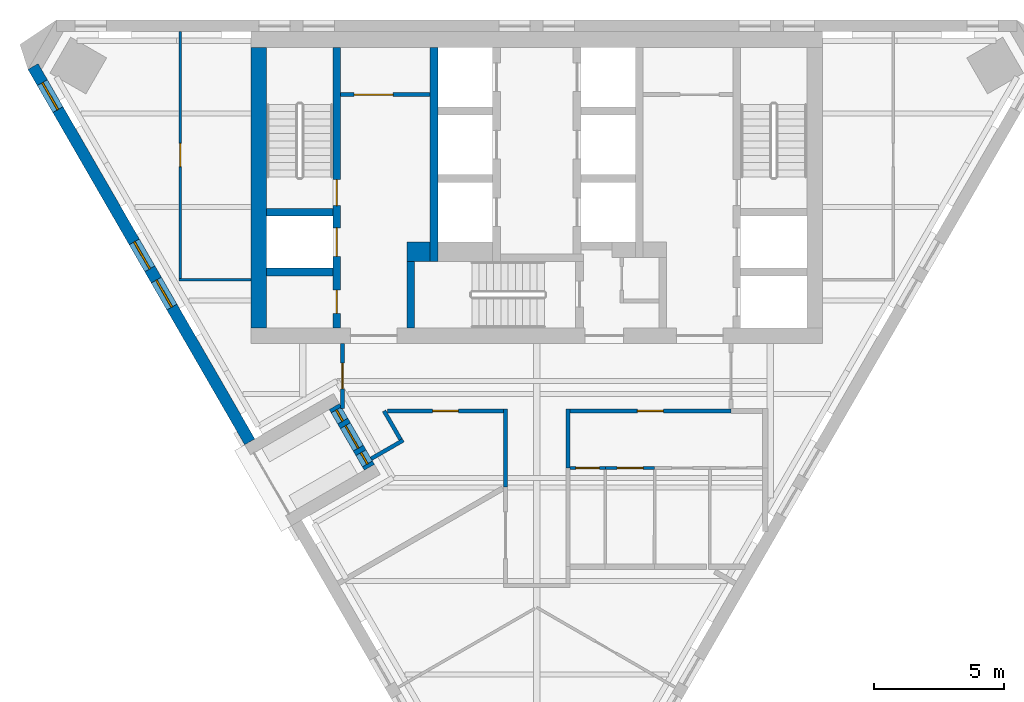
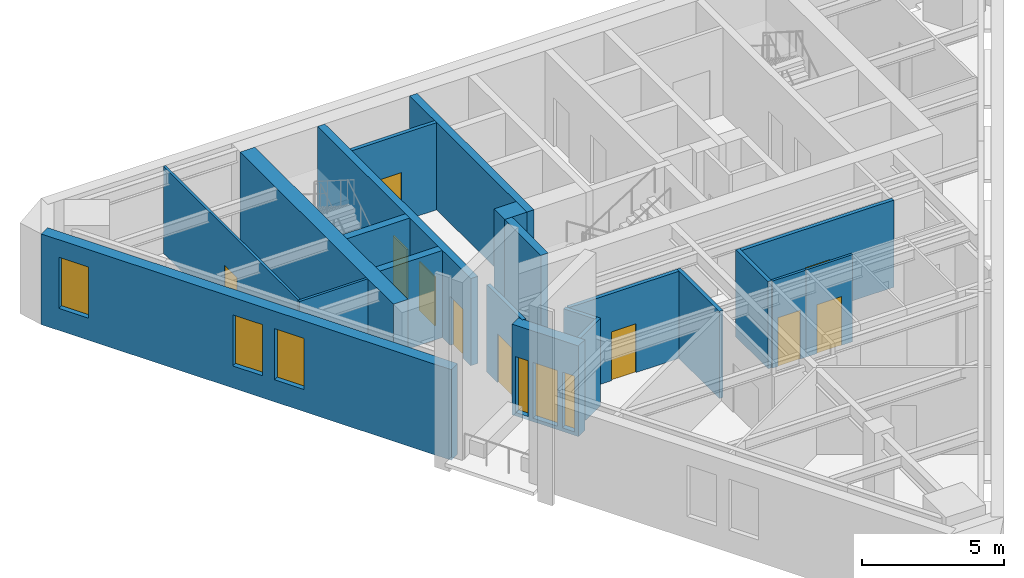
# One storey, part 3 of 7: 21 walls, 11 doors, 5 windows, 16 openings.
"""IFC4 building model written with IfcOpenShell, lengths in metres."""

from ifc_helpers import new_model, si_unit, direction, frame, frame_2d, origin, place, context, subcontext, project, spatial, polyline, rectangle, outline, extrude, material, layer, layer_set, type_object, element, fill, save


model = new_model("IFC4")

# Units and contexts
model_context = context("Model", 3, precision=1e-05, world=origin(), true_north=direction((0.0, 1.0)))
body_context = subcontext(model_context, "Body", "Model", "MODEL_VIEW")
ifc_project = project(units=[si_unit("LENGTHUNIT", "METRE"), si_unit("AREAUNIT", "SQUARE_METRE"), si_unit("VOLUMEUNIT", "CUBIC_METRE"), si_unit("PLANEANGLEUNIT", "RADIAN"), si_unit("MASSUNIT", "GRAM", prefix="KILO")], contexts=[model_context])

# Site, building, storey
site_placement = place(None, origin())
site = spatial("IfcSite", under=ifc_project, at=site_placement, CompositionType="ELEMENT")
building_placement = place(site_placement, origin())
building = spatial("IfcBuilding", under=site, at=building_placement, Name="Aloe Facet Convention Tower", CompositionType="ELEMENT")
storey_placement = place(building_placement, frame((0.0, 0.0, 258.199951171875)))
storey = spatial("IfcBuildingStorey", under=building, at=storey_placement, Name="L63", CompositionType="ELEMENT", Elevation=258.199951171875)

# Wall, opening, door
ifc_material_1 = material(Name="Concrete blockwork partition", Category="masonry")
ifc_layer_1 = layer(ifc_material_1, 0.14990234375)
ifc_layer_set_1 = layer_set([ifc_layer_1], Name="CR-W-PART150")
wall_type_1 = type_object("IfcWallType", Name="CR-W-PART150", PredefinedType="PARTITIONING", material=ifc_layer_set_1)
wall_1_placement = place(storey_placement, frame((72.449951171875, 132.125, 0.0), z_axis=(0.0, 0.0, 1.0), x_axis=(1.0, 0.0, 0.0)))
wall_1 = element("IfcWall", 1, at=wall_1_placement, inside=storey, type_object=wall_type_1, Name="Core partition L63-007", PredefinedType="PARTITIONING", context=body_context, shape_type="SweptSolid", body=[
    extrude(rectangle(XDim=3.449951171875, YDim=0.14990234375, at=frame_2d((1.72509765625, 0.0))), origin(), (0.0, 0.0, 1.0), 3.75),
])
opening_1_placement = place(wall_1_placement, frame((0.52490234375, 0.0, 0.0)))
opening_1 = element("IfcOpeningElement", 2, at=opening_1_placement, cuts=wall_1, Name="Opening L63-CD14", PredefinedType="OPENING", context=body_context, shape_type="SweptSolid", body=[
    extrude(rectangle(XDim=1.5, YDim=2.10009765625, at=frame_2d((0.75, 1.050048828125))), frame((0.0, 0.0849609375, 0.0), z_axis=(0.0, -1.0, 0.0), x_axis=(1.0, 0.0, 0.0)), (0.0, 0.0, 1.0), 0.169921875),
])
ifc_material_2 = material(Name="Steel fire-resisting door set FD60", Category="steel")
door_type_1 = type_object("IfcDoorType", Name="CR-D-REFUGE-1500-FD60-DD", OperationType="DOUBLE_DOOR_DOUBLE_SWING", PredefinedType="DOOR", material=ifc_material_2)
door_1_placement = place(opening_1_placement, origin())
door_1 = element("IfcDoor", 3, at=door_1_placement, inside=storey, type_object=door_type_1, Name="Core door L63-CD14", OperationType="DOUBLE_DOOR_DOUBLE_SWING", OverallHeight=2.10009765625, OverallWidth=1.5, PredefinedType="DOOR", context=body_context, shape_type="SweptSolid", body=[
    extrude(rectangle(XDim=1.5, YDim=2.10009765625, at=frame_2d((0.75, 1.050048828125))), frame((0.0, 0.02490234375, 0.0), z_axis=(0.0, -1.0, 0.0), x_axis=(1.0, 0.0, 0.0)), (0.0, 0.0, 1.0), 0.050048828125),
])
fill(opening_1, door_1)

# Walls
ifc_material_3 = material(Name="Concrete C50/60", Category="concrete")
ifc_layer_2 = layer(ifc_material_3, 0.300048828125)
ifc_layer_set_2 = layer_set([ifc_layer_2], Name="CR-W-RC300-C5060")
wall_type_2 = type_object("IfcWallType", Name="CR-W-RC300-C5060", PredefinedType="SOLIDWALL", material=ifc_layer_set_2)
for number, where, z_axis, x_axis, name in (
    (4, (69.60009765625, 127.60009765625, 0.0), (0.0, 0.0, 1.0), (1.0, 0.0, 0.0), "Core wall L63-004"),
    (5, (69.60009765625, 125.300048828125, 0.0), (0.0, 0.0, 1.0), (1.0, 0.0, 0.0), "Core wall L63-005"),
):
    element("IfcWall", number, at=place(storey_placement, frame(where, z_axis=z_axis, x_axis=x_axis)), inside=storey, type_object=wall_type_2, Name=name, PredefinedType="SOLIDWALL", context=body_context, shape_type="SweptSolid", body=[
        extrude(rectangle(XDim=2.5498046875, YDim=0.300048828125, at=frame_2d((1.27490234375, 0.0))), origin(), (0.0, 0.0, 1.0), 3.75),
    ])

# Wall, openings, doors
wall_2_placement = place(storey_placement, frame((72.300048828125, 133.949951171875, 0.0), z_axis=(0.0, 0.0, 1.0), x_axis=(0.0, -1.0, 0.0)))
wall_2 = element("IfcWall", 6, at=wall_2_placement, inside=storey, type_object=wall_type_2, Name="Core wall L63-006", PredefinedType="SOLIDWALL", context=body_context, shape_type="SweptSolid", body=[
    extrude(rectangle(XDim=10.800048828125, YDim=0.300048828125, at=frame_2d((5.39990234375, 0.0))), origin(), (0.0, 0.0, 1.0), 3.75),
])
opening_2_placement = place(wall_2_placement, frame((6.949951171875, 0.0, 0.0)))
opening_2 = element("IfcOpeningElement", 7, at=opening_2_placement, cuts=wall_2, Name="Opening LD-FF1-L63", PredefinedType="OPENING", context=body_context, shape_type="SweptSolid", body=[
    extrude(rectangle(XDim=1.10009765625, YDim=2.10009765625, at=frame_2d((0.550048828125, 1.050048828125))), frame((0.0, 0.16015625, 0.0), z_axis=(0.0, -1.0, 0.0), x_axis=(1.0, 0.0, 0.0)), (0.0, 0.0, 1.0), 0.320068359375),
])
opening_3_placement = place(wall_2_placement, frame((9.35009765625, 0.0, 0.0)))
opening_3 = element("IfcOpeningElement", 8, at=opening_3_placement, cuts=wall_2, Name="Opening L63-CD15", PredefinedType="OPENING", context=body_context, shape_type="SweptSolid", body=[
    extrude(rectangle(XDim=0.89990234375, YDim=2.10009765625, at=frame_2d((0.449951171875, 1.050048828125))), frame((0.0, 0.16015625, 0.0), z_axis=(0.0, -1.0, 0.0), x_axis=(1.0, 0.0, 0.0)), (0.0, 0.0, 1.0), 0.320068359375),
])
opening_4_placement = place(wall_2_placement, frame((5.10009765625, 0.0, 0.0)))
opening_4 = element("IfcOpeningElement", 9, at=opening_4_placement, cuts=wall_2, Name="Opening L63-CD16", PredefinedType="OPENING", context=body_context, shape_type="SweptSolid", body=[
    extrude(rectangle(XDim=1.0, YDim=2.10009765625, at=frame_2d((0.5, 1.050048828125))), frame((0.0, 0.16015625, 0.0), z_axis=(0.0, -1.0, 0.0), x_axis=(1.0, 0.0, 0.0)), (0.0, 0.0, 1.0), 0.320068359375),
])
ifc_material_4 = material(Name="Steel fire-resisting door set FD60", Category="steel")
door_type_2 = type_object("IfcDoorType", Name="CR-D-ROOM-900-FD60-SLEFT", OperationType="SINGLE_SWING_LEFT", PredefinedType="DOOR", material=ifc_material_4)
door_2_placement = place(opening_3_placement, origin())
door_2 = element("IfcDoor", 10, at=door_2_placement, inside=storey, type_object=door_type_2, Name="Core door L63-CD15", OperationType="SINGLE_SWING_LEFT", OverallHeight=2.10009765625, OverallWidth=0.89990234375, PredefinedType="DOOR", context=body_context, shape_type="SweptSolid", body=[
    extrude(rectangle(XDim=0.89990234375, YDim=2.10009765625, at=frame_2d((0.449951171875, 1.050048828125))), frame((0.0, 0.02490234375, 0.0), z_axis=(0.0, -1.0, 0.0), x_axis=(1.0, 0.0, 0.0)), (0.0, 0.0, 1.0), 0.050048828125),
])
fill(opening_3, door_2)
ifc_material_5 = material(Name="Steel fire-resisting door set FD120", Category="steel")
door_type_3 = type_object("IfcDoorType", Name="CR-D-STAIR-1000-FD120-SRIGHT", OperationType="SINGLE_SWING_RIGHT", PredefinedType="DOOR", material=ifc_material_5)
door_3_placement = place(opening_4_placement, origin())
door_3 = element("IfcDoor", 11, at=door_3_placement, inside=storey, type_object=door_type_3, Name="Core door L63-CD16", OperationType="SINGLE_SWING_RIGHT", OverallHeight=2.10009765625, OverallWidth=1.0, PredefinedType="DOOR", context=body_context, shape_type="SweptSolid", body=[
    extrude(rectangle(XDim=1.0, YDim=2.10009765625, at=frame_2d((0.5, 1.050048828125))), frame((0.0, 0.02490234375, 0.0), z_axis=(0.0, -1.0, 0.0), x_axis=(1.0, 0.0, 0.0)), (0.0, 0.0, 1.0), 0.050048828125),
])
fill(opening_4, door_3)
ifc_material_6 = material(Name="Stainless steel sliding landing door", Category="steel")
door_type_4 = type_object("IfcDoorType", Name="CR-LD-1100-FD120-_LEFT", OperationType="SLIDING_TO_LEFT", PredefinedType="DOOR", material=ifc_material_6)
door_4_placement = place(opening_2_placement, origin())
door_4 = element("IfcDoor", 12, at=door_4_placement, inside=storey, type_object=door_type_4, Name="Landing door FF1 L63", OperationType="SLIDING_TO_LEFT", OverallHeight=2.10009765625, OverallWidth=1.10009765625, PredefinedType="DOOR", context=body_context, shape_type="SweptSolid", body=[
    extrude(rectangle(XDim=1.10009765625, YDim=2.10009765625, at=frame_2d((0.550048828125, 1.050048828125))), frame((0.0, 0.02490234375, 0.0), z_axis=(0.0, -1.0, 0.0), x_axis=(1.0, 0.0, 0.0)), (0.0, 0.0, 1.0), 0.050048828125),
])
fill(opening_2, door_4)

# Walls
wall_3_placement = place(storey_placement, frame((75.14990234375, 125.699951171875, 0.0), z_axis=(0.0, 0.0, 1.0), x_axis=(0.0, -1.0, 0.0)))
element("IfcWall", 13, at=wall_3_placement, inside=storey, type_object=wall_type_2, Name="Core wall L63-009", PredefinedType="SOLIDWALL", context=body_context, shape_type="SweptSolid", body=[
    extrude(rectangle(XDim=2.550048828125, YDim=0.300048828125, at=frame_2d((1.27490234375, 0.0))), origin(), (0.0, 0.0, 1.0), 3.75),
])
wall_4_placement = place(storey_placement, frame((76.050048828125, 133.949951171875, 0.0), z_axis=(0.0, 0.0, 1.0), x_axis=(0.0, -1.0, 0.0)))
element("IfcWall", 14, at=wall_4_placement, inside=storey, type_object=wall_type_2, Name="Core wall L63-010", PredefinedType="SOLIDWALL", context=body_context, shape_type="SweptSolid", body=[
    extrude(rectangle(XDim=8.25, YDim=0.300048828125, at=frame_2d((4.125, 0.0))), origin(), (0.0, 0.0, 1.0), 3.75),
])
ifc_material_7 = material(Name="Concrete C50/60", Category="concrete")
ifc_layer_3 = layer(ifc_material_7, 0.60009765625)
ifc_layer_set_3 = layer_set([ifc_layer_3], Name="CR-W-RC600-C5060")
wall_type_3 = type_object("IfcWallType", Name="CR-W-RC600-C5060", PredefinedType="SOLIDWALL", material=ifc_layer_set_3)
wall_5_placement = place(storey_placement, frame((69.300048828125, 133.949951171875, 0.0), z_axis=(0.0, 0.0, 1.0), x_axis=(0.0, -1.0, 0.0)))
element("IfcWall", 15, at=wall_5_placement, inside=storey, type_object=wall_type_3, Name="Core wall L63-002", PredefinedType="SOLIDWALL", context=body_context, shape_type="SweptSolid", body=[
    extrude(rectangle(XDim=10.800048828125, YDim=0.60009765625, at=frame_2d((5.39990234375, 0.0))), origin(), (0.0, 0.0, 1.0), 3.75),
])
ifc_material_8 = material(Name="Concrete C50/60", Category="concrete")
ifc_layer_4 = layer(ifc_material_8, 0.75)
ifc_layer_set_4 = layer_set([ifc_layer_4], Name="CR-W-RC750-C5060")
wall_type_4 = type_object("IfcWallType", Name="CR-W-RC750-C5060", PredefinedType="SOLIDWALL", material=ifc_layer_set_4)
wall_6_placement = place(storey_placement, frame((75.0, 126.074951171875, 0.0), z_axis=(0.0, 0.0, 1.0), x_axis=(1.0, 0.0, 0.0)))
element("IfcWall", 16, at=wall_6_placement, inside=storey, type_object=wall_type_4, Name="Core wall L63-008", PredefinedType="SOLIDWALL", context=body_context, shape_type="SweptSolid", body=[
    extrude(rectangle(XDim=0.89990234375, YDim=0.75, at=frame_2d((0.449951171875, 0.0))), origin(), (0.0, 0.0, 1.0), 3.75),
])

# Wall, openings, windows
ifc_material_9 = material(Name="Precast concrete C40/50", Category="concrete")
ifc_layer_5 = layer(ifc_material_9, 0.449951171875)
ifc_layer_set_5 = layer_set([ifc_layer_5], Name="EV-WALL-STONE")
wall_type_5 = type_object("IfcWallType", Name="EV-WALL-STONE", PredefinedType="SOLIDWALL", material=ifc_layer_set_5)
wall_7_placement = place(storey_placement, frame((60.608642578125, 133.207275390625, -0.14990234375), z_axis=(0.0, 0.0, 1.0), x_axis=(0.499996022837, -0.866027699989, 0.0)))
wall_7 = element("IfcWall", 17, at=wall_7_placement, inside=storey, type_object=wall_type_5, Name="EW-L63-W01", PredefinedType="SOLIDWALL", context=body_context, shape_type="SweptSolid", body=[
    extrude(outline(polyline([(0.0, 0.0), (0.0, 3.89990234375), (16.68603515625, 3.89990234375), (16.68603515625, 0.0), (0.0, 0.0)])), frame((0.0, 0.22509765625, 0.0), z_axis=(0.0, -1.0, 0.0), x_axis=(1.0, 0.0, 0.0)), (0.0, 0.0, 1.0), 0.449951171875),
])
opening_5_placement = place(wall_7_placement, frame((0.714599609375, 0.0, 0.949951171875)))
opening_5 = element("IfcOpeningElement", 18, at=opening_5_placement, cuts=wall_7, Name="Opening W-L63-W01", PredefinedType="OPENING", context=body_context, shape_type="SweptSolid", body=[
    extrude(rectangle(XDim=1.199951171875, YDim=2.199951171875, at=frame_2d((0.60009765625, 1.10009765625))), frame((0.0, 0.23486328125, 0.0), z_axis=(0.0, -1.0, 0.0), x_axis=(1.0, 0.0, 0.0)), (0.0, 0.0, 1.0), 0.469970703125),
])
opening_6_placement = place(wall_7_placement, frame((7.79296875, 0.0, 0.949951171875)))
opening_6 = element("IfcOpeningElement", 19, at=opening_6_placement, cuts=wall_7, Name="Opening W-L63-W02", PredefinedType="OPENING", context=body_context, shape_type="SweptSolid", body=[
    extrude(rectangle(XDim=1.199951171875, YDim=2.199951171875, at=frame_2d((0.60009765625, 1.10009765625))), frame((0.0, 0.23486328125, 0.0), z_axis=(0.0, -1.0, 0.0), x_axis=(1.0, 0.0, 0.0)), (0.0, 0.0, 1.0), 0.469970703125),
])
opening_7_placement = place(wall_7_placement, frame((9.4931640625, 0.0, 0.949951171875)))
opening_7 = element("IfcOpeningElement", 20, at=opening_7_placement, cuts=wall_7, Name="Opening W-L63-W03", PredefinedType="OPENING", context=body_context, shape_type="SweptSolid", body=[
    extrude(rectangle(XDim=1.199951171875, YDim=2.199951171875, at=frame_2d((0.60009765625, 1.10009765625))), frame((0.0, 0.23486328125, 0.0), z_axis=(0.0, -1.0, 0.0), x_axis=(1.0, 0.0, 0.0)), (0.0, 0.0, 1.0), 0.469970703125),
])
ifc_material_10 = material(Name="Aluminium frame, clear double glazing", Category="aluminium")
window_type_1 = type_object("IfcWindowType", Name="EV-WIN-O12", PartitioningType="SINGLE_PANEL", PredefinedType="WINDOW", material=ifc_material_10)
window_1_placement = place(opening_5_placement, origin())
window_1 = element("IfcWindow", 21, at=window_1_placement, inside=storey, type_object=window_type_1, Name="W-L63-W01", OverallHeight=2.199951171875, OverallWidth=1.199951171875, PartitioningType="SINGLE_PANEL", PredefinedType="WINDOW", context=body_context, shape_type="SweptSolid", body=[
    extrude(rectangle(XDim=1.199951171875, YDim=2.199951171875, at=frame_2d((0.60009765625, 1.10009765625))), frame((0.0, 0.030029296875, 0.0), z_axis=(0.0, -1.0, 0.0), x_axis=(1.0, 0.0, 0.0)), (0.0, 0.0, 1.0), 0.06005859375),
])
fill(opening_5, window_1)
window_2_placement = place(opening_6_placement, origin())
window_2 = element("IfcWindow", 22, at=window_2_placement, inside=storey, type_object=window_type_1, Name="W-L63-W02", OverallHeight=2.199951171875, OverallWidth=1.199951171875, PartitioningType="SINGLE_PANEL", PredefinedType="WINDOW", context=body_context, shape_type="SweptSolid", body=[
    extrude(rectangle(XDim=1.199951171875, YDim=2.199951171875, at=frame_2d((0.60009765625, 1.10009765625))), frame((0.0, 0.030029296875, 0.0), z_axis=(0.0, -1.0, 0.0), x_axis=(1.0, 0.0, 0.0)), (0.0, 0.0, 1.0), 0.06005859375),
])
fill(opening_6, window_2)
window_3_placement = place(opening_7_placement, origin())
window_3 = element("IfcWindow", 23, at=window_3_placement, inside=storey, type_object=window_type_1, Name="W-L63-W03", OverallHeight=2.199951171875, OverallWidth=1.199951171875, PartitioningType="SINGLE_PANEL", PredefinedType="WINDOW", context=body_context, shape_type="SweptSolid", body=[
    extrude(rectangle(XDim=1.199951171875, YDim=2.199951171875, at=frame_2d((0.60009765625, 1.10009765625))), frame((0.0, 0.030029296875, 0.0), z_axis=(0.0, -1.0, 0.0), x_axis=(1.0, 0.0, 0.0)), (0.0, 0.0, 1.0), 0.06005859375),
])
fill(opening_7, window_3)

# Wall, openings, door, windows
wall_8_placement = place(storey_placement, frame((72.207763671875, 120.116943359375, -0.14990234375), z_axis=(0.0, 0.0, 1.0), x_axis=(0.50000943426, -0.866019956843, 0.0)))
wall_8 = element("IfcWall", 24, at=wall_8_placement, inside=storey, type_object=wall_type_5, Name="TB-T14-L63", PredefinedType="SOLIDWALL", context=body_context, shape_type="SweptSolid", body=[
    extrude(rectangle(XDim=2.7001953125, YDim=0.449951171875, at=frame_2d((1.35009765625, 0.0))), origin(), (0.0, 0.0, 1.0), 3.89990234375),
])
opening_8_placement = place(wall_8_placement, frame((0.85009765625, 0.0, 0.14990234375)))
opening_8 = element("IfcOpeningElement", 25, at=opening_8_placement, cuts=wall_8, Name="Opening D-T14", PredefinedType="OPENING", context=body_context, shape_type="SweptSolid", body=[
    extrude(rectangle(XDim=1.0, YDim=2.39990234375, at=frame_2d((0.5, 1.199951171875))), frame((0.0, 0.23486328125, 0.0), z_axis=(0.0, -1.0, 0.0), x_axis=(1.0, 0.0, 0.0)), (0.0, 0.0, 1.0), 0.469970703125),
])
opening_9_placement = place(wall_8_placement, frame((0.14990234375, 0.0, 0.14990234375)))
opening_9 = element("IfcOpeningElement", 26, at=opening_9_placement, cuts=wall_8, Name="Opening G-T14-1", PredefinedType="OPENING", context=body_context, shape_type="SweptSolid", body=[
    extrude(rectangle(XDim=0.5, YDim=2.39990234375, at=frame_2d((0.25, 1.199951171875))), frame((0.0, 0.23486328125, 0.0), z_axis=(0.0, -1.0, 0.0), x_axis=(1.0, 0.0, 0.0)), (0.0, 0.0, 1.0), 0.469970703125),
])
opening_10_placement = place(wall_8_placement, frame((2.050048828125, 0.0, 0.14990234375)))
opening_10 = element("IfcOpeningElement", 27, at=opening_10_placement, cuts=wall_8, Name="Opening G-T14-2", PredefinedType="OPENING", context=body_context, shape_type="SweptSolid", body=[
    extrude(rectangle(XDim=0.5, YDim=2.39990234375, at=frame_2d((0.25, 1.199951171875))), frame((0.0, 0.23486328125, 0.0), z_axis=(0.0, -1.0, 0.0), x_axis=(1.0, 0.0, 0.0)), (0.0, 0.0, 1.0), 0.469970703125),
])
ifc_material_11 = material(Name="Aluminium frame, clear double glazing", Category="aluminium")
door_type_5 = type_object("IfcDoorType", Name="EV-DOOR-TERR", OperationType="SINGLE_SWING_LEFT", PredefinedType="DOOR", material=ifc_material_11)
door_5_placement = place(opening_8_placement, origin())
door_5 = element("IfcDoor", 28, at=door_5_placement, inside=storey, type_object=door_type_5, Name="D-T14", OperationType="SINGLE_SWING_LEFT", OverallHeight=2.39990234375, OverallWidth=1.0, PredefinedType="DOOR", context=body_context, shape_type="SweptSolid", body=[
    extrude(rectangle(XDim=1.0, YDim=2.39990234375, at=frame_2d((0.5, 1.199951171875))), frame((0.0, 0.02490234375, 0.0), z_axis=(0.0, -1.0, 0.0), x_axis=(1.0, 0.0, 0.0)), (0.0, 0.0, 1.0), 0.050048828125),
])
fill(opening_8, door_5)
ifc_material_12 = material(Name="Aluminium frame, clear double glazing", Category="aluminium")
window_type_2 = type_object("IfcWindowType", Name="EV-WIN-SL50", PartitioningType="SINGLE_PANEL", PredefinedType="WINDOW", material=ifc_material_12)
window_4_placement = place(opening_9_placement, origin())
window_4 = element("IfcWindow", 29, at=window_4_placement, inside=storey, type_object=window_type_2, Name="G-T14-1", OverallHeight=2.39990234375, OverallWidth=0.5, PartitioningType="SINGLE_PANEL", PredefinedType="WINDOW", context=body_context, shape_type="SweptSolid", body=[
    extrude(rectangle(XDim=0.5, YDim=2.39990234375, at=frame_2d((0.25, 1.199951171875))), frame((0.0, 0.030029296875, 0.0), z_axis=(0.0, -1.0, 0.0), x_axis=(1.0, 0.0, 0.0)), (0.0, 0.0, 1.0), 0.06005859375),
])
fill(opening_9, window_4)
window_5_placement = place(opening_10_placement, origin())
window_5 = element("IfcWindow", 30, at=window_5_placement, inside=storey, type_object=window_type_2, Name="G-T14-2", OverallHeight=2.39990234375, OverallWidth=0.5, PartitioningType="SINGLE_PANEL", PredefinedType="WINDOW", context=body_context, shape_type="SweptSolid", body=[
    extrude(rectangle(XDim=0.5, YDim=2.39990234375, at=frame_2d((0.25, 1.199951171875))), frame((0.0, 0.030029296875, 0.0), z_axis=(0.0, -1.0, 0.0), x_axis=(1.0, 0.0, 0.0)), (0.0, 0.0, 1.0), 0.06005859375),
])
fill(opening_10, window_5)

# Walls
ifc_material_13 = material(Name="Gypsum board partition on steel studs", Category="steel")
ifc_layer_6 = layer(ifc_material_13, 0.14990234375)
ifc_layer_set_6 = layer_set([ifc_layer_6], Name="IN-W-CORR")
wall_type_6 = type_object("IfcWallType", Name="IN-W-CORR", PredefinedType="PARTITIONING", material=ifc_layer_set_6)
wall_9_placement = place(storey_placement, frame((78.800048828125, 117.027587890625, 0.0), z_axis=(0.0, 0.0, 1.0), x_axis=(0.0, 1.0, 0.0)))
element("IfcWall", 31, at=wall_9_placement, inside=storey, type_object=wall_type_6, Name="Partition L63-W013", PredefinedType="PARTITIONING", context=body_context, shape_type="SweptSolid", body=[
    extrude(rectangle(XDim=2.997314453125, YDim=0.14990234375, at=frame_2d((1.49853515625, 0.0))), origin(), (0.0, 0.0, 1.0), 3.75),
])
wall_10_placement = place(storey_placement, frame((73.627685546875, 118.107666015625, 0.0), z_axis=(0.0, 0.0, 1.0), x_axis=(0.866062911188, 0.499935029643, 0.0)))
element("IfcWall", 32, at=wall_10_placement, inside=storey, type_object=wall_type_6, Name="Partition L63-W024", PredefinedType="PARTITIONING", context=body_context, shape_type="SweptSolid", body=[
    extrude(rectangle(XDim=1.425048828125, YDim=0.14990234375, at=frame_2d((0.71240234375, 0.0))), origin(), (0.0, 0.0, 1.0), 3.75),
])
wall_11_placement = place(storey_placement, frame((74.122802734375, 119.949951171875, 0.0), z_axis=(0.0, 0.0, 1.0), x_axis=(0.500037910135, -0.866003515251, 0.0)))
element("IfcWall", 33, at=wall_11_placement, inside=storey, type_object=wall_type_6, Name="Partition L63-W025", PredefinedType="PARTITIONING", context=body_context, shape_type="SweptSolid", body=[
    extrude(rectangle(XDim=1.27294921875, YDim=0.14990234375, at=frame_2d((0.636474609375, 0.0))), origin(), (0.0, 0.0, 1.0), 3.75),
])

# Wall, opening, door
wall_12_placement = place(storey_placement, frame((74.252685546875, 119.949951171875, 0.0), z_axis=(0.0, 0.0, 1.0), x_axis=(1.0, 0.0, 0.0)))
wall_12 = element("IfcWall", 34, at=wall_12_placement, inside=storey, type_object=wall_type_6, Name="Partition L63-W026", PredefinedType="PARTITIONING", context=body_context, shape_type="SweptSolid", body=[
    extrude(rectangle(XDim=4.472412109375, YDim=0.14990234375, at=frame_2d((2.236328125, 0.0))), origin(), (0.0, 0.0, 1.0), 3.75),
])
opening_11_placement = place(wall_12_placement, frame((1.736083984375, 0.0, 0.0)))
opening_11 = element("IfcOpeningElement", 35, at=opening_11_placement, cuts=wall_12, Name="Opening L63-009", PredefinedType="OPENING", context=body_context, shape_type="SweptSolid", body=[
    extrude(rectangle(XDim=1.0, YDim=2.10009765625, at=frame_2d((0.5, 1.050048828125))), frame((0.0, 0.0849609375, 0.0), z_axis=(0.0, -1.0, 0.0), x_axis=(1.0, 0.0, 0.0)), (0.0, 0.0, 1.0), 0.169921875),
])
ifc_material_14 = material(Name="Timber door FD30S with vision panel", Category="wood")
door_type_6 = type_object("IfcDoorType", Name="IN-OFF-D-ENTRY", OperationType="SINGLE_SWING_LEFT", PredefinedType="DOOR", material=ifc_material_14)
door_6_placement = place(opening_11_placement, origin())
door_6 = element("IfcDoor", 36, at=door_6_placement, inside=storey, type_object=door_type_6, Name="Door L63-009", OperationType="SINGLE_SWING_LEFT", OverallHeight=2.10009765625, OverallWidth=1.0, PredefinedType="DOOR", context=body_context, shape_type="SweptSolid", body=[
    extrude(rectangle(XDim=1.0, YDim=2.10009765625, at=frame_2d((0.5, 1.050048828125))), frame((0.0, 0.02490234375, 0.0), z_axis=(0.0, -1.0, 0.0), x_axis=(1.0, 0.0, 0.0)), (0.0, 0.0, 1.0), 0.050048828125),
])
fill(opening_11, door_6)

# Wall
wall_13_placement = place(storey_placement, frame((81.199951171875, 117.75, 0.0), z_axis=(0.0, 0.0, 1.0), x_axis=(0.0, 1.0, 0.0)))
element("IfcWall", 37, at=wall_13_placement, inside=storey, type_object=wall_type_6, Name="Partition L63-W027", PredefinedType="PARTITIONING", context=body_context, shape_type="SweptSolid", body=[
    extrude(rectangle(XDim=2.27490234375, YDim=0.14990234375, at=frame_2d((1.137451171875, 0.0))), origin(), (0.0, 0.0, 1.0), 3.75),
])

# Wall, opening, door
wall_14_placement = place(storey_placement, frame((81.27490234375, 119.949951171875, 0.0), z_axis=(0.0, 0.0, 1.0), x_axis=(1.0, 0.0, 0.0)))
wall_14 = element("IfcWall", 38, at=wall_14_placement, inside=storey, type_object=wall_type_6, Name="Partition L63-W028", PredefinedType="PARTITIONING", context=body_context, shape_type="SweptSolid", body=[
    extrude(rectangle(XDim=6.2001953125, YDim=0.14990234375, at=frame_2d((3.10009765625, 0.0))), origin(), (0.0, 0.0, 1.0), 3.75),
])
opening_12_placement = place(wall_14_placement, frame((2.60009765625, 0.0, 0.0)))
opening_12 = element("IfcOpeningElement", 39, at=opening_12_placement, cuts=wall_14, Name="Opening L63-001", PredefinedType="OPENING", context=body_context, shape_type="SweptSolid", body=[
    extrude(rectangle(XDim=1.0, YDim=2.10009765625, at=frame_2d((0.5, 1.050048828125))), frame((0.0, 0.0849609375, 0.0), z_axis=(0.0, -1.0, 0.0), x_axis=(1.0, 0.0, 0.0)), (0.0, 0.0, 1.0), 0.169921875),
])
door_7_placement = place(opening_12_placement, origin())
door_7 = element("IfcDoor", 40, at=door_7_placement, inside=storey, type_object=door_type_6, Name="Door L63-001", OperationType="SINGLE_SWING_LEFT", OverallHeight=2.10009765625, OverallWidth=1.0, PredefinedType="DOOR", context=body_context, shape_type="SweptSolid", body=[
    extrude(rectangle(XDim=1.0, YDim=2.10009765625, at=frame_2d((0.5, 1.050048828125))), frame((0.0, 0.02490234375, 0.0), z_axis=(0.0, -1.0, 0.0), x_axis=(1.0, 0.0, 0.0)), (0.0, 0.0, 1.0), 0.050048828125),
])
fill(opening_12, door_7)

wall_15_placement = place(storey_placement, frame((72.52490234375, 120.03759765625, 0.0), z_axis=(0.0, 0.0, 1.0), x_axis=(0.0, 1.0, 0.0)))
wall_15 = element("IfcWall", 41, at=wall_15_placement, inside=storey, type_object=wall_type_6, Name="Partition L63-W031", PredefinedType="PARTITIONING", context=body_context, shape_type="SweptSolid", body=[
    extrude(rectangle(XDim=2.512451171875, YDim=0.14990234375, at=frame_2d((1.25634765625, 0.0))), origin(), (0.0, 0.0, 1.0), 3.75),
])
opening_13_placement = place(wall_15_placement, frame((0.756103515625, 0.0, 0.0)))
opening_13 = element("IfcOpeningElement", 42, at=opening_13_placement, cuts=wall_15, Name="Opening L63-008", PredefinedType="OPENING", context=body_context, shape_type="SweptSolid", body=[
    extrude(rectangle(XDim=1.0, YDim=2.10009765625, at=frame_2d((0.5, 1.050048828125))), frame((0.0, 0.0849609375, 0.0), z_axis=(0.0, -1.0, 0.0), x_axis=(1.0, 0.0, 0.0)), (0.0, 0.0, 1.0), 0.169921875),
])
door_8_placement = place(opening_13_placement, origin())
door_8 = element("IfcDoor", 43, at=door_8_placement, inside=storey, type_object=door_type_6, Name="Door L63-008", OperationType="SINGLE_SWING_LEFT", OverallHeight=2.10009765625, OverallWidth=1.0, PredefinedType="DOOR", context=body_context, shape_type="SweptSolid", body=[
    extrude(rectangle(XDim=1.0, YDim=2.10009765625, at=frame_2d((0.5, 1.050048828125))), frame((0.0, 0.02490234375, 0.0), z_axis=(0.0, -1.0, 0.0), x_axis=(1.0, 0.0, 0.0)), (0.0, 0.0, 1.0), 0.050048828125),
])
fill(opening_13, door_8)

ifc_material_15 = material(Name="Gypsum board partition on steel studs", Category="steel")
ifc_layer_7 = layer(ifc_material_15, 0.10009765625)
ifc_layer_set_7 = layer_set([ifc_layer_7], Name="IN-W-PART")
wall_type_7 = type_object("IfcWallType", Name="IN-W-PART", PredefinedType="PARTITIONING", material=ifc_layer_set_7)
wall_16_placement = place(storey_placement, frame((81.27490234375, 117.75, 0.0), z_axis=(0.0, 0.0, 1.0), x_axis=(1.0, 0.0, 0.0)))
wall_16 = element("IfcWall", 44, at=wall_16_placement, inside=storey, type_object=wall_type_7, Name="Partition L63-W017", PredefinedType="PARTITIONING", context=body_context, shape_type="SweptSolid", body=[
    extrude(rectangle(XDim=1.369140625, YDim=0.10009765625, at=frame_2d((0.6845703125, 0.0))), origin(), (0.0, 0.0, 1.0), 3.75),
])
opening_14_placement = place(wall_16_placement, frame((0.234619140625, 0.0, 0.0)))
opening_14 = element("IfcOpeningElement", 45, at=opening_14_placement, cuts=wall_16, Name="Opening L63-002", PredefinedType="OPENING", context=body_context, shape_type="SweptSolid", body=[
    extrude(rectangle(XDim=0.89990234375, YDim=2.10009765625, at=frame_2d((0.449951171875, 1.050048828125))), frame((0.0, 0.06005859375, 0.0), z_axis=(0.0, -1.0, 0.0), x_axis=(1.0, 0.0, 0.0)), (0.0, 0.0, 1.0), 0.1201171875),
])
ifc_material_16 = material(Name="Timber door", Category="wood")
door_type_7 = type_object("IfcDoorType", Name="IN-OFF-D-ROOM", OperationType="SINGLE_SWING_LEFT", PredefinedType="DOOR", material=ifc_material_16)
door_9_placement = place(opening_14_placement, origin())
door_9 = element("IfcDoor", 46, at=door_9_placement, inside=storey, type_object=door_type_7, Name="Door L63-002", OperationType="SINGLE_SWING_LEFT", OverallHeight=2.10009765625, OverallWidth=0.89990234375, PredefinedType="DOOR", context=body_context, shape_type="SweptSolid", body=[
    extrude(rectangle(XDim=0.89990234375, YDim=2.10009765625, at=frame_2d((0.449951171875, 1.050048828125))), frame((0.0, 0.02490234375, 0.0), z_axis=(0.0, -1.0, 0.0), x_axis=(1.0, 0.0, 0.0)), (0.0, 0.0, 1.0), 0.050048828125),
])
fill(opening_14, door_9)

wall_17_placement = place(storey_placement, frame((82.64404296875, 117.75, 0.0), z_axis=(0.0, 0.0, 1.0), x_axis=(1.0, 0.0, 0.0)))
wall_17 = element("IfcWall", 47, at=wall_17_placement, inside=storey, type_object=wall_type_7, Name="Partition L63-W019", PredefinedType="PARTITIONING", context=body_context, shape_type="SweptSolid", body=[
    extrude(rectangle(XDim=1.89990234375, YDim=0.10009765625, at=frame_2d((0.949951171875, 0.0))), origin(), (0.0, 0.0, 1.0), 3.75),
])
opening_15_placement = place(wall_17_placement, frame((0.449951171875, 0.0, 0.0)))
opening_15 = element("IfcOpeningElement", 48, at=opening_15_placement, cuts=wall_17, Name="Opening L63-003", PredefinedType="OPENING", context=body_context, shape_type="SweptSolid", body=[
    extrude(rectangle(XDim=1.0, YDim=2.10009765625, at=frame_2d((0.5, 1.050048828125))), frame((0.0, 0.06005859375, 0.0), z_axis=(0.0, -1.0, 0.0), x_axis=(1.0, 0.0, 0.0)), (0.0, 0.0, 1.0), 0.1201171875),
])
ifc_material_17 = material(Name="Timber door", Category="wood")
door_type_8 = type_object("IfcDoorType", Name="IN-OFF-D-WIDE", OperationType="SINGLE_SWING_LEFT", PredefinedType="DOOR", material=ifc_material_17)
door_10_placement = place(opening_15_placement, origin())
door_10 = element("IfcDoor", 49, at=door_10_placement, inside=storey, type_object=door_type_8, Name="Door L63-003", OperationType="SINGLE_SWING_LEFT", OverallHeight=2.10009765625, OverallWidth=1.0, PredefinedType="DOOR", context=body_context, shape_type="SweptSolid", body=[
    extrude(rectangle(XDim=1.0, YDim=2.10009765625, at=frame_2d((0.5, 1.050048828125))), frame((0.0, 0.02490234375, 0.0), z_axis=(0.0, -1.0, 0.0), x_axis=(1.0, 0.0, 0.0)), (0.0, 0.0, 1.0), 0.050048828125),
])
fill(opening_15, door_10)

# Wall
wall_18_placement = place(storey_placement, frame((66.224365234375, 125.0, 0.0), z_axis=(0.0, 0.0, 1.0), x_axis=(1.0, 0.0, 0.0)))
element("IfcWall", 50, at=wall_18_placement, inside=storey, type_object=wall_type_7, Name="Partition L63-W032", PredefinedType="PARTITIONING", context=body_context, shape_type="SweptSolid", body=[
    extrude(rectangle(XDim=2.775634765625, YDim=0.10009765625, at=frame_2d((1.3876953125, 0.0))), origin(), (0.0, 0.0, 1.0), 3.75),
])

# Wall, opening, door
wall_19_placement = place(storey_placement, frame((66.2744140625, 125.050048828125, 0.0), z_axis=(0.0, 0.0, 1.0), x_axis=(-0.000231291112, 0.999999973252, 0.0)))
wall_19 = element("IfcWall", 51, at=wall_19_placement, inside=storey, type_object=wall_type_7, Name="Partition L63-W035", PredefinedType="PARTITIONING", context=body_context, shape_type="SweptSolid", body=[
    extrude(rectangle(XDim=9.5, YDim=0.10009765625, at=frame_2d((4.75, 0.0))), origin(), (0.0, 0.0, 1.0), 3.75),
])
opening_16_placement = place(wall_19_placement, frame((4.300048828125, 0.0, 0.0)))
opening_16 = element("IfcOpeningElement", 52, at=opening_16_placement, cuts=wall_19, Name="Opening L63-007", PredefinedType="OPENING", context=body_context, shape_type="SweptSolid", body=[
    extrude(rectangle(XDim=0.89990234375, YDim=2.10009765625, at=frame_2d((0.449951171875, 1.050048828125))), frame((0.0, 0.06005859375, 0.0), z_axis=(0.0, -1.0, 0.0), x_axis=(1.0, 0.0, 0.0)), (0.0, 0.0, 1.0), 0.1201171875),
])
door_11_placement = place(opening_16_placement, origin())
door_11 = element("IfcDoor", 53, at=door_11_placement, inside=storey, type_object=door_type_7, Name="Door L63-007", OperationType="SINGLE_SWING_LEFT", OverallHeight=2.10009765625, OverallWidth=0.89990234375, PredefinedType="DOOR", context=body_context, shape_type="SweptSolid", body=[
    extrude(rectangle(XDim=0.89990234375, YDim=2.10009765625, at=frame_2d((0.449951171875, 1.050048828125))), frame((0.0, 0.02490234375, 0.0), z_axis=(0.0, -1.0, 0.0), x_axis=(1.0, 0.0, 0.0)), (0.0, 0.0, 1.0), 0.050048828125),
])
fill(opening_16, door_11)

save(model, "model.ifc")
